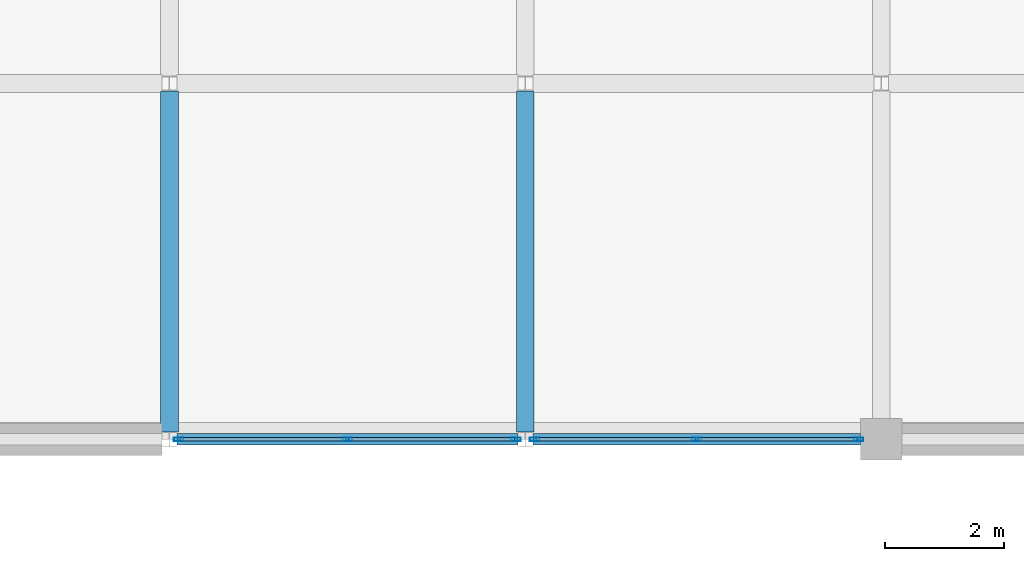
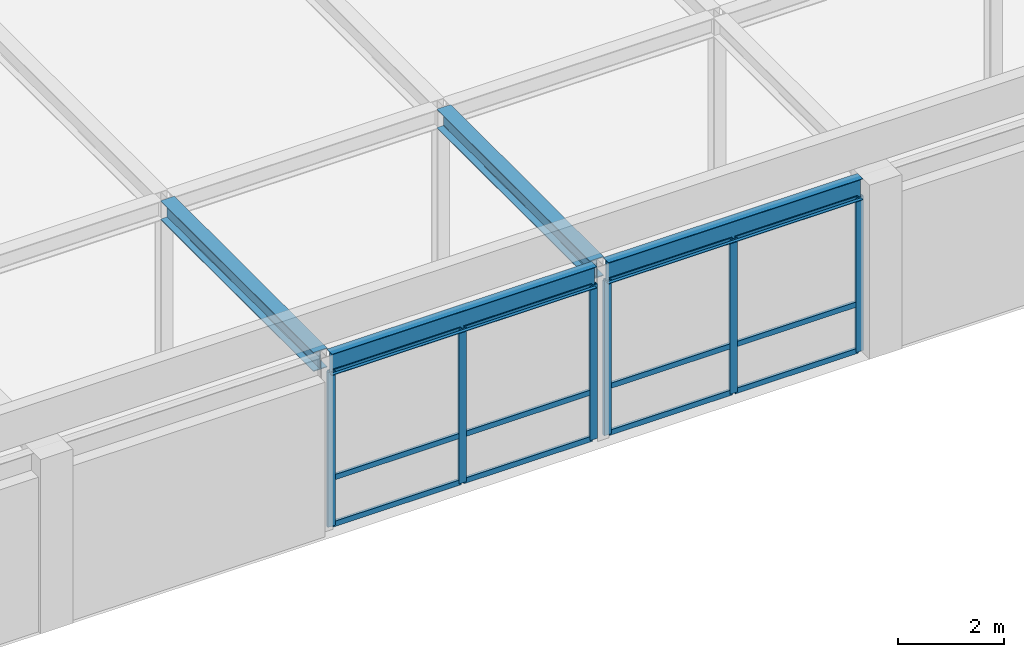
# One storey, part 57 of 111: 18 members, 4 beams, 2 elements without a shape of their own.
"""IFC4 building model written with IfcOpenShell, lengths in metres."""

from ifc_helpers import new_model, si_unit, direction, frame, origin, origin_2d, place, context, subcontext, project, spatial, hollow_rectangle, i_section, extrude, material, layer, layer_set, material_profile, profile_set, type_object, element, aggregate, save


model = new_model("IFC4")

# Units and contexts
model_context = context("Model", 3, precision=1e-05, world=origin(), true_north=direction((0.0, 1.0)))
body_context = subcontext(model_context, "Body", "Model", "MODEL_VIEW")
ifc_project = project(units=[si_unit("LENGTHUNIT", "METRE"), si_unit("AREAUNIT", "SQUARE_METRE"), si_unit("VOLUMEUNIT", "CUBIC_METRE"), si_unit("PLANEANGLEUNIT", "RADIAN"), si_unit("MASSUNIT", "GRAM", prefix="KILO")], contexts=[model_context])

# Site, building, storey
site_placement = place(None, origin())
site = spatial("IfcSite", under=ifc_project, at=site_placement, CompositionType="ELEMENT")
building_placement = place(site_placement, origin())
building = spatial("IfcBuilding", under=site, at=building_placement, Name="Zlatovratsky Civic Hall", CompositionType="ELEMENT")
storey_placement = place(building_placement, frame((0.0, 0.0, 16.5)))
storey = spatial("IfcBuildingStorey", under=building, at=storey_placement, Name="L04", CompositionType="ELEMENT", Elevation=16.5)

# Beams
ifc_material_1 = material(Name="Steel S355", Category="steel")
ifc_material_profile_1 = material_profile(ifc_material_1, i_section(OverallWidth=0.198974609375, OverallDepth=0.491943359375, WebThickness=0.0087890625, FlangeThickness=0.011962890625, FilletRadius=0.01611328125, at=origin_2d()), Name="50B1")
ifc_profile_set_1 = profile_set([ifc_material_profile_1], Name="Steel S355")
beam_type_1 = type_object("IfcBeamType", Name="Beam_Spandrel_50B1", PredefinedType="SPANDREL", material=ifc_profile_set_1)
beam_1_placement = place(storey_placement, frame((96.125, 12.0, 3.75390625), z_axis=(1.0, 0.0, 0.0), x_axis=(0.0, 1.0, 0.0)))
element("IfcBeam", 1, at=beam_1_placement, inside=storey, type_object=beam_type_1, Name="BM-3225", PredefinedType="SPANDREL", context=body_context, shape_type="SweptSolid", body=[
    extrude(i_section(OverallWidth=0.198974609375, OverallDepth=0.491943359375, WebThickness=0.0087890625, FlangeThickness=0.011962890625, FilletRadius=0.01611328125, at=origin_2d()), origin(), (0.0, 0.0, 1.0), 5.75),
])
beam_2_placement = place(storey_placement, frame((102.125, 12.0, 3.75390625), z_axis=(1.0, 0.0, 0.0), x_axis=(0.0, 1.0, 0.0)))
element("IfcBeam", 2, at=beam_2_placement, inside=storey, type_object=beam_type_1, Name="BM-3226", PredefinedType="SPANDREL", context=body_context, shape_type="SweptSolid", body=[
    extrude(i_section(OverallWidth=0.198974609375, OverallDepth=0.491943359375, WebThickness=0.0087890625, FlangeThickness=0.011962890625, FilletRadius=0.01611328125, at=origin_2d()), origin(), (0.0, 0.0, 1.0), 5.52490234375),
])
ifc_material_profile_2 = material_profile(ifc_material_1, i_section(OverallWidth=0.300048828125, OverallDepth=0.43994140625, WebThickness=0.010986328125, FlangeThickness=0.01806640625, FilletRadius=0.02197265625, at=origin_2d()), Name="45Sh1")
ifc_profile_set_2 = profile_set([ifc_material_profile_2], Name="Steel S355")
beam_type_2 = type_object("IfcBeamType", Name="Beam_TowerLow_45Sh1", PredefinedType="BEAM", material=ifc_profile_set_2)
for number, where, z_axis, x_axis, name in (
    (3, (96.0, 12.125, 3.780029296875), (0.0, 1.0, 0.0), (-1.0, 0.0, 0.0), "BM-3684"),
    (4, (102.0, 12.125, 3.780029296875), (0.0, 1.0, 0.0), (-1.0, 0.0, 0.0), "BM-3695"),
):
    element("IfcBeam", number, at=place(storey_placement, frame(where, z_axis=z_axis, x_axis=x_axis)), inside=storey, type_object=beam_type_2, Name=name, PredefinedType="BEAM", context=body_context, shape_type="SweptSolid", body=[
        extrude(i_section(OverallWidth=0.300048828125, OverallDepth=0.43994140625, WebThickness=0.010986328125, FlangeThickness=0.01806640625, FilletRadius=0.02197265625, at=origin_2d()), origin(), (0.0, 0.0, 1.0), 5.75),
    ])

# Curtain wall, members
ifc_material_2 = material(Name="Anodised bronze aluminium", Category="aluminium")
ifc_layer_1 = layer(ifc_material_2, 0.159912109375)
ifc_layer_set_1 = layer_set([ifc_layer_1], Name="Anodised bronze aluminium")
curtain_wall_type_1 = type_object("IfcCurtainWallType", Name="CurtainWall_Bronze_5750x3550_14", PredefinedType="NOTDEFINED", material=ifc_layer_set_1)
curtain_wall_1_placement = place(storey_placement, origin())
curtain_wall_1 = element("IfcCurtainWall", 5, at=curtain_wall_1_placement, inside=storey, type_object=curtain_wall_type_1, Name="CW-091", PredefinedType="NOTDEFINED")
ifc_material_profile_3 = material_profile(ifc_material_2, hollow_rectangle(XDim=0.06005859375, YDim=0.159912109375, WallThickness=0.00390625, at=origin_2d()), Name="ALU 60x160x4")
ifc_profile_set_3 = profile_set([ifc_material_profile_3], Name="Anodised bronze aluminium")
member_type_1 = type_object("IfcMemberType", Name="CW_Mullion_60x160", PredefinedType="MULLION", material=ifc_profile_set_3)
member_1_placement = place(storey_placement, frame((96.155029296875, 12.0, 0.0), z_axis=(0.0, 0.0, 1.0), x_axis=(0.0, 1.0, 0.0)))
member_1 = element("IfcMember", 6, at=member_1_placement, type_object=member_type_1, Name="CW-14 mullion 1", PredefinedType="MULLION", context=body_context, shape_type="SweptSolid", body=[
    extrude(hollow_rectangle(XDim=0.06005859375, YDim=0.159912109375, WallThickness=0.00390625, at=origin_2d()), origin(), (0.0, 0.0, 1.0), 3.550048828125),
])
member_2_placement = place(storey_placement, frame((99.0, 12.0, 0.0), z_axis=(0.0, 0.0, 1.0), x_axis=(0.0, 1.0, 0.0)))
member_2 = element("IfcMember", 7, at=member_2_placement, type_object=member_type_1, Name="CW-14 mullion 2", PredefinedType="MULLION", context=body_context, shape_type="SweptSolid", body=[
    extrude(hollow_rectangle(XDim=0.06005859375, YDim=0.159912109375, WallThickness=0.00390625, at=origin_2d()), origin(), (0.0, 0.0, 1.0), 3.550048828125),
])
member_3_placement = place(storey_placement, frame((101.844970703125, 12.0, 0.0), z_axis=(0.0, 0.0, 1.0), x_axis=(0.0, 1.0, 0.0)))
member_3 = element("IfcMember", 8, at=member_3_placement, type_object=member_type_1, Name="CW-14 mullion 3", PredefinedType="MULLION", context=body_context, shape_type="SweptSolid", body=[
    extrude(hollow_rectangle(XDim=0.06005859375, YDim=0.159912109375, WallThickness=0.00390625, at=origin_2d()), origin(), (0.0, 0.0, 1.0), 3.550048828125),
])

ifc_layer_2 = layer(ifc_material_2, 0.159912109375)
ifc_layer_set_2 = layer_set([ifc_layer_2], Name="Anodised bronze aluminium")
curtain_wall_type_2 = type_object("IfcCurtainWallType", Name="CurtainWall_Bronze_5530x3550_15", PredefinedType="NOTDEFINED", material=ifc_layer_set_2)
curtain_wall_2_placement = place(storey_placement, origin())
curtain_wall_2 = element("IfcCurtainWall", 9, at=curtain_wall_2_placement, inside=storey, type_object=curtain_wall_type_2, Name="CW-092", PredefinedType="NOTDEFINED")
member_4_placement = place(storey_placement, frame((102.155029296875, 12.0, 0.0), z_axis=(0.0, 0.0, 1.0), x_axis=(0.0, 1.0, 0.0)))
member_4 = element("IfcMember", 10, at=member_4_placement, type_object=member_type_1, Name="CW-15 mullion 1", PredefinedType="MULLION", context=body_context, shape_type="SweptSolid", body=[
    extrude(hollow_rectangle(XDim=0.06005859375, YDim=0.159912109375, WallThickness=0.00390625, at=origin_2d()), origin(), (0.0, 0.0, 1.0), 3.550048828125),
])
member_5_placement = place(storey_placement, frame((104.887451171875, 12.0, 0.0), z_axis=(0.0, 0.0, 1.0), x_axis=(0.0, 1.0, 0.0)))
member_5 = element("IfcMember", 11, at=member_5_placement, type_object=member_type_1, Name="CW-15 mullion 2", PredefinedType="MULLION", context=body_context, shape_type="SweptSolid", body=[
    extrude(hollow_rectangle(XDim=0.06005859375, YDim=0.159912109375, WallThickness=0.00390625, at=origin_2d()), origin(), (0.0, 0.0, 1.0), 3.550048828125),
])
member_6_placement = place(storey_placement, frame((107.6201171875, 12.0, 0.0), z_axis=(0.0, 0.0, 1.0), x_axis=(0.0, 1.0, 0.0)))
member_6 = element("IfcMember", 12, at=member_6_placement, type_object=member_type_1, Name="CW-15 mullion 3", PredefinedType="MULLION", context=body_context, shape_type="SweptSolid", body=[
    extrude(hollow_rectangle(XDim=0.06005859375, YDim=0.159912109375, WallThickness=0.00390625, at=origin_2d()), origin(), (0.0, 0.0, 1.0), 3.550048828125),
])

# Member
ifc_material_profile_4 = material_profile(ifc_material_2, hollow_rectangle(XDim=0.06005859375, YDim=0.1201171875, WallThickness=0.00390625, at=origin_2d()), Name="ALU 60x120x4")
ifc_profile_set_4 = profile_set([ifc_material_profile_4], Name="Anodised bronze aluminium")
member_type_2 = type_object("IfcMemberType", Name="CW_Transom_60x120", PredefinedType="USERDEFINED", material=ifc_profile_set_4)
member_7_placement = place(storey_placement, frame((96.18505859375, 12.0, 0.030029296875), z_axis=(1.0, 0.0, 0.0), x_axis=(0.0, 1.0, 0.0)))
member_7 = element("IfcMember", 13, at=member_7_placement, type_object=member_type_2, Name="CW-14 transom 1.1", ObjectType="TRANSOM", PredefinedType="USERDEFINED", context=body_context, shape_type="SweptSolid", body=[
    extrude(hollow_rectangle(XDim=0.06005859375, YDim=0.1201171875, WallThickness=0.00390625, at=origin_2d()), origin(), (0.0, 0.0, 1.0), 2.784912109375),
])

member_8_placement = place(storey_placement, frame((96.18505859375, 12.0, 1.10009765625), z_axis=(1.0, 0.0, 0.0), x_axis=(0.0, 1.0, 0.0)))
member_8 = element("IfcMember", 14, at=member_8_placement, type_object=member_type_2, Name="CW-14 transom 1.2", ObjectType="TRANSOM", PredefinedType="USERDEFINED", context=body_context, shape_type="SweptSolid", body=[
    extrude(hollow_rectangle(XDim=0.06005859375, YDim=0.1201171875, WallThickness=0.00390625, at=origin_2d()), origin(), (0.0, 0.0, 1.0), 2.784912109375),
])

member_9_placement = place(storey_placement, frame((96.18505859375, 12.0, 3.52001953125), z_axis=(1.0, 0.0, 0.0), x_axis=(0.0, 1.0, 0.0)))
member_9 = element("IfcMember", 15, at=member_9_placement, type_object=member_type_2, Name="CW-14 transom 1.3", ObjectType="TRANSOM", PredefinedType="USERDEFINED", context=body_context, shape_type="SweptSolid", body=[
    extrude(hollow_rectangle(XDim=0.06005859375, YDim=0.1201171875, WallThickness=0.00390625, at=origin_2d()), origin(), (0.0, 0.0, 1.0), 2.784912109375),
])

member_10_placement = place(storey_placement, frame((99.030029296875, 12.0, 0.030029296875), z_axis=(1.0, 0.0, 0.0), x_axis=(0.0, 1.0, 0.0)))
member_10 = element("IfcMember", 16, at=member_10_placement, type_object=member_type_2, Name="CW-14 transom 2.1", ObjectType="TRANSOM", PredefinedType="USERDEFINED", context=body_context, shape_type="SweptSolid", body=[
    extrude(hollow_rectangle(XDim=0.06005859375, YDim=0.1201171875, WallThickness=0.00390625, at=origin_2d()), origin(), (0.0, 0.0, 1.0), 2.784912109375),
])

member_11_placement = place(storey_placement, frame((99.030029296875, 12.0, 1.10009765625), z_axis=(1.0, 0.0, 0.0), x_axis=(0.0, 1.0, 0.0)))
member_11 = element("IfcMember", 17, at=member_11_placement, type_object=member_type_2, Name="CW-14 transom 2.2", ObjectType="TRANSOM", PredefinedType="USERDEFINED", context=body_context, shape_type="SweptSolid", body=[
    extrude(hollow_rectangle(XDim=0.06005859375, YDim=0.1201171875, WallThickness=0.00390625, at=origin_2d()), origin(), (0.0, 0.0, 1.0), 2.784912109375),
])

member_12_placement = place(storey_placement, frame((99.030029296875, 12.0, 3.52001953125), z_axis=(1.0, 0.0, 0.0), x_axis=(0.0, 1.0, 0.0)))
member_12 = element("IfcMember", 18, at=member_12_placement, type_object=member_type_2, Name="CW-14 transom 2.3", ObjectType="TRANSOM", PredefinedType="USERDEFINED", context=body_context, shape_type="SweptSolid", body=[
    extrude(hollow_rectangle(XDim=0.06005859375, YDim=0.1201171875, WallThickness=0.00390625, at=origin_2d()), origin(), (0.0, 0.0, 1.0), 2.784912109375),
])

aggregate(curtain_wall_1, [member_1, member_2, member_3, member_7, member_8, member_9, member_10, member_11, member_12])

member_13_placement = place(storey_placement, frame((102.18505859375, 12.0, 0.030029296875), z_axis=(1.0, 0.0, 0.0), x_axis=(0.0, 1.0, 0.0)))
member_13 = element("IfcMember", 19, at=member_13_placement, type_object=member_type_2, Name="CW-15 transom 1.1", ObjectType="TRANSOM", PredefinedType="USERDEFINED", context=body_context, shape_type="SweptSolid", body=[
    extrude(hollow_rectangle(XDim=0.06005859375, YDim=0.1201171875, WallThickness=0.00390625, at=origin_2d()), origin(), (0.0, 0.0, 1.0), 2.67236328125),
])

member_14_placement = place(storey_placement, frame((102.18505859375, 12.0, 1.10009765625), z_axis=(1.0, 0.0, 0.0), x_axis=(0.0, 1.0, 0.0)))
member_14 = element("IfcMember", 20, at=member_14_placement, type_object=member_type_2, Name="CW-15 transom 1.2", ObjectType="TRANSOM", PredefinedType="USERDEFINED", context=body_context, shape_type="SweptSolid", body=[
    extrude(hollow_rectangle(XDim=0.06005859375, YDim=0.1201171875, WallThickness=0.00390625, at=origin_2d()), origin(), (0.0, 0.0, 1.0), 2.67236328125),
])

member_15_placement = place(storey_placement, frame((102.18505859375, 12.0, 3.52001953125), z_axis=(1.0, 0.0, 0.0), x_axis=(0.0, 1.0, 0.0)))
member_15 = element("IfcMember", 21, at=member_15_placement, type_object=member_type_2, Name="CW-15 transom 1.3", ObjectType="TRANSOM", PredefinedType="USERDEFINED", context=body_context, shape_type="SweptSolid", body=[
    extrude(hollow_rectangle(XDim=0.06005859375, YDim=0.1201171875, WallThickness=0.00390625, at=origin_2d()), origin(), (0.0, 0.0, 1.0), 2.67236328125),
])

member_16_placement = place(storey_placement, frame((104.91748046875, 12.0, 0.030029296875), z_axis=(1.0, 0.0, 0.0), x_axis=(0.0, 1.0, 0.0)))
member_16 = element("IfcMember", 22, at=member_16_placement, type_object=member_type_2, Name="CW-15 transom 2.1", ObjectType="TRANSOM", PredefinedType="USERDEFINED", context=body_context, shape_type="SweptSolid", body=[
    extrude(hollow_rectangle(XDim=0.06005859375, YDim=0.1201171875, WallThickness=0.00390625, at=origin_2d()), origin(), (0.0, 0.0, 1.0), 2.672607421875),
])

member_17_placement = place(storey_placement, frame((104.91748046875, 12.0, 1.10009765625), z_axis=(1.0, 0.0, 0.0), x_axis=(0.0, 1.0, 0.0)))
member_17 = element("IfcMember", 23, at=member_17_placement, type_object=member_type_2, Name="CW-15 transom 2.2", ObjectType="TRANSOM", PredefinedType="USERDEFINED", context=body_context, shape_type="SweptSolid", body=[
    extrude(hollow_rectangle(XDim=0.06005859375, YDim=0.1201171875, WallThickness=0.00390625, at=origin_2d()), origin(), (0.0, 0.0, 1.0), 2.672607421875),
])

member_18_placement = place(storey_placement, frame((104.91748046875, 12.0, 3.52001953125), z_axis=(1.0, 0.0, 0.0), x_axis=(0.0, 1.0, 0.0)))
member_18 = element("IfcMember", 24, at=member_18_placement, type_object=member_type_2, Name="CW-15 transom 2.3", ObjectType="TRANSOM", PredefinedType="USERDEFINED", context=body_context, shape_type="SweptSolid", body=[
    extrude(hollow_rectangle(XDim=0.06005859375, YDim=0.1201171875, WallThickness=0.00390625, at=origin_2d()), origin(), (0.0, 0.0, 1.0), 2.672607421875),
])

aggregate(curtain_wall_2, [member_4, member_5, member_6, member_13, member_14, member_15, member_16, member_17, member_18])

save(model, "model.ifc")
